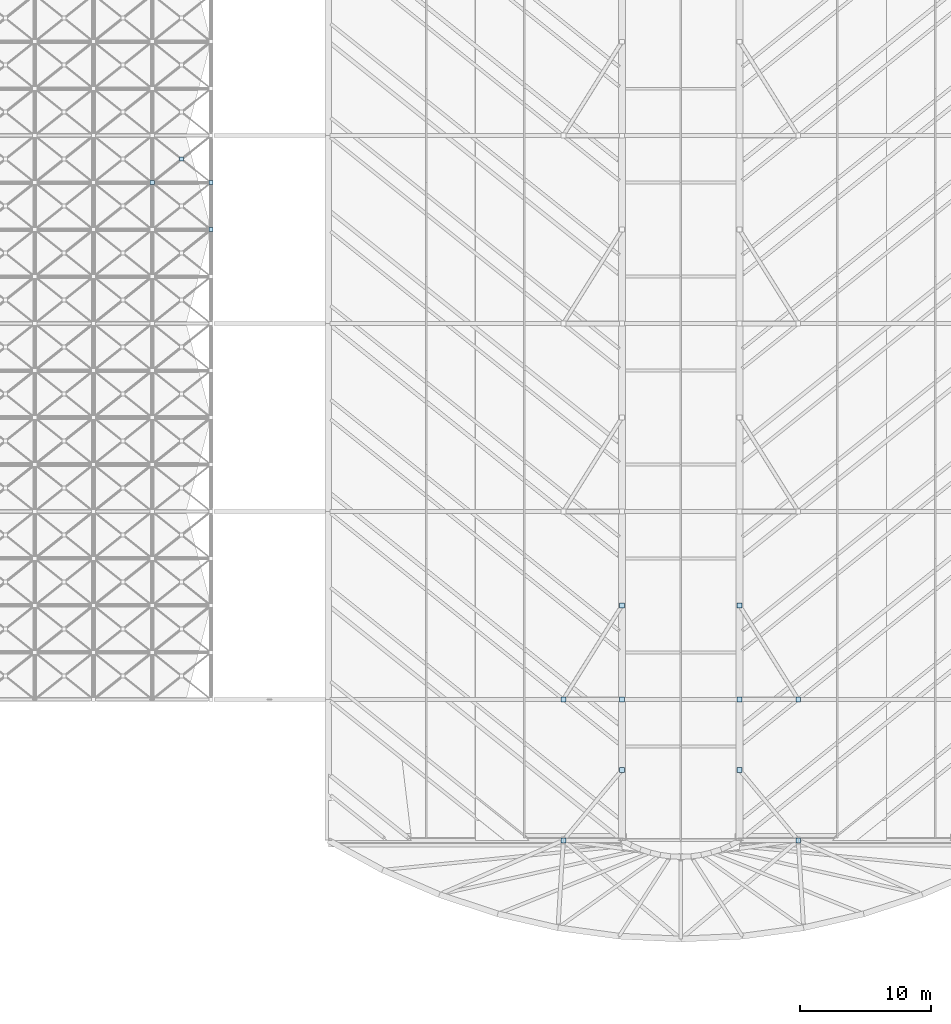
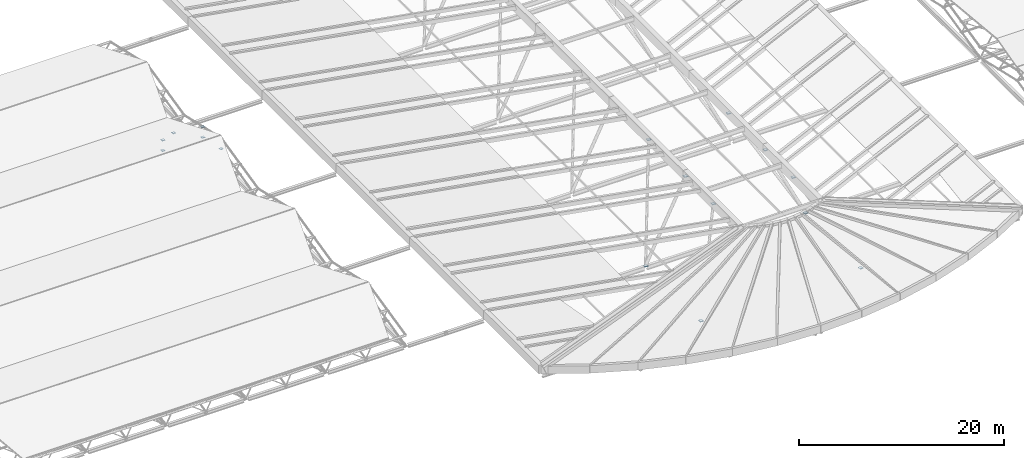
# One storey, part 79 of 110: 16 plates.
"""IFC4 building model written with IfcOpenShell, lengths in metres."""

from ifc_helpers import new_model, si_unit, direction, frame, origin, origin_2d, place, context, subcontext, project, spatial, rectangle, extrude, material, layer, layer_set, type_object, element, save


model = new_model("IFC4")

# Units and contexts
model_context = context("Model", 3, precision=1e-05, world=origin(), true_north=direction((0.0, 1.0)))
body_context = subcontext(model_context, "Body", "Model", "MODEL_VIEW")
ifc_project = project(units=[si_unit("LENGTHUNIT", "METRE"), si_unit("AREAUNIT", "SQUARE_METRE"), si_unit("VOLUMEUNIT", "CUBIC_METRE"), si_unit("PLANEANGLEUNIT", "RADIAN"), si_unit("MASSUNIT", "GRAM", prefix="KILO")], contexts=[model_context])

# Site, building, storey
site_placement = place(None, origin())
site = spatial("IfcSite", under=ifc_project, at=site_placement, CompositionType="ELEMENT")
building_placement = place(site_placement, origin())
building = spatial("IfcBuilding", under=site, at=building_placement, Name="Tamarisk Ironworks Central Station", CompositionType="ELEMENT")
storey_placement = place(building_placement, frame((0.0, 0.0, 17.39990234375)))
storey = spatial("IfcBuildingStorey", under=building, at=storey_placement, Name="L03", CompositionType="ELEMENT", Elevation=17.39990234375)

# Plates
ifc_material_1 = material(Name="Structural steel S355J2H", Category="steel")
ifc_layer_1 = layer(ifc_material_1, 0.02587890625)
ifc_layer_set_1 = layer_set([ifc_layer_1], Name="Structural steel S355J2H")
plate_type_1 = type_object("IfcPlateType", Name="PL-ND26", PredefinedType="SHEET", material=ifc_layer_set_1)
for number, where, z_axis, x_axis, name in (
    (1, (40.5, 61.199951171875, 0.342041015625), (0.0, 0.0, 1.0), (1.0, 0.0, 0.0), "Space-frame collector node plate 0364"),
    (2, (40.5, 61.199951171875, -0.907958984375), (0.0, 0.0, 1.0), (1.0, 0.0, 0.0), "Space-frame collector node plate 0366"),
    (3, (45.0, 57.60009765625, -0.082763671875), (0.0, 0.0, 1.0), (1.0, 0.0, 0.0), "Space-frame collector node plate 0375"),
    (4, (45.0, 61.199951171875, 0.342041015625), (0.0, 0.0, 1.0), (1.0, 0.0, 0.0), "Space-frame collector node plate 0376"),
):
    element("IfcPlate", number, at=place(storey_placement, frame(where, z_axis=z_axis, x_axis=x_axis)), inside=storey, type_object=plate_type_1, Name=name, PredefinedType="SHEET", context=body_context, shape_type="SweptSolid", body=[
        extrude(rectangle(XDim=0.320068359375, YDim=0.320068359375, at=origin_2d()), origin(), (0.0, 0.0, 1.0), 0.02587890625),
    ])
plate_1_placement = place(storey_placement, frame((42.75, 63.0, -0.6953125), z_axis=(0.0, 0.0, 1.0), x_axis=(1.0, 0.0, 0.0)))
element("IfcPlate", 5, at=plate_1_placement, inside=storey, type_object=plate_type_1, Name="Space-frame X-brace crossing gusset plate 0377", PredefinedType="SHEET", context=body_context, shape_type="SweptSolid", body=[
    extrude(rectangle(XDim=0.300048828125, YDim=0.300048828125, at=origin_2d()), origin(), (0.0, 0.0, 1.0), 0.02587890625),
])
plate_2_placement = place(storey_placement, frame((45.0, 61.199951171875, -0.907958984375), z_axis=(0.0, 0.0, 1.0), x_axis=(1.0, 0.0, 0.0)))
element("IfcPlate", 6, at=plate_2_placement, inside=storey, type_object=plate_type_1, Name="Space-frame collector node plate 0378", PredefinedType="SHEET", context=body_context, shape_type="SweptSolid", body=[
    extrude(rectangle(XDim=0.320068359375, YDim=0.320068359375, at=origin_2d()), origin(), (0.0, 0.0, 1.0), 0.02587890625),
])
ifc_material_2 = material(Name="Structural steel S355J2", Category="steel")
ifc_layer_2 = layer(ifc_material_2, 0.0380859375)
ifc_layer_set_2 = layer_set([ifc_layer_2], Name="Structural steel S355J2")
plate_type_2 = type_object("IfcPlateType", Name="PL-ND38", PredefinedType="SHEET", material=ifc_layer_set_2)
plate_3_placement = place(storey_placement, frame((76.5, 16.199951171875, 7.43115234375), z_axis=(0.0, 0.0, 1.0), x_axis=(1.0, 0.0, 0.0)))
element("IfcPlate", 7, at=plate_3_placement, inside=storey, type_object=plate_type_2, Name="Concourse spine diagonal V-strut top gusset 009", PredefinedType="SHEET", context=body_context, shape_type="SweptSolid", body=[
    extrude(rectangle(XDim=0.360107421875, YDim=0.360107421875, at=origin_2d()), origin(), (0.0, 0.0, 1.0), 0.0380859375),
])
plate_4_placement = place(storey_placement, frame((72.0, 10.800048828125, -1.658935546875), z_axis=(0.0, 0.0, 1.0), x_axis=(1.0, 0.0, 0.0)))
element("IfcPlate", 8, at=plate_4_placement, inside=storey, type_object=plate_type_2, Name="Concourse V-strut base pin gusset 010", PredefinedType="SHEET", context=body_context, shape_type="SweptSolid", body=[
    extrude(rectangle(XDim=0.3798828125, YDim=0.3798828125, at=origin_2d()), origin(), (0.0, 0.0, 1.0), 0.0380859375),
])
plate_5_placement = place(storey_placement, frame((85.5, 16.199951171875, 7.43115234375), z_axis=(0.0, 0.0, 1.0), x_axis=(1.0, 0.0, 0.0)))
element("IfcPlate", 9, at=plate_5_placement, inside=storey, type_object=plate_type_2, Name="Concourse spine diagonal V-strut top gusset 011", PredefinedType="SHEET", context=body_context, shape_type="SweptSolid", body=[
    extrude(rectangle(XDim=0.360107421875, YDim=0.360107421875, at=origin_2d()), origin(), (0.0, 0.0, 1.0), 0.0380859375),
])
plate_6_placement = place(storey_placement, frame((90.0, 10.800048828125, -1.658935546875), z_axis=(0.0, 0.0, 1.0), x_axis=(1.0, 0.0, 0.0)))
element("IfcPlate", 10, at=plate_6_placement, inside=storey, type_object=plate_type_2, Name="Concourse V-strut base pin gusset 012", PredefinedType="SHEET", context=body_context, shape_type="SweptSolid", body=[
    extrude(rectangle(XDim=0.3798828125, YDim=0.3798828125, at=origin_2d()), origin(), (0.0, 0.0, 1.0), 0.0380859375),
])
plate_7_placement = place(storey_placement, frame((76.5, 28.800048828125, 7.43115234375), z_axis=(0.0, 0.0, 1.0), x_axis=(1.0, 0.0, 0.0)))
element("IfcPlate", 11, at=plate_7_placement, inside=storey, type_object=plate_type_2, Name="Concourse spine diagonal V-strut top gusset 013", PredefinedType="SHEET", context=body_context, shape_type="SweptSolid", body=[
    extrude(rectangle(XDim=0.360107421875, YDim=0.360107421875, at=origin_2d()), origin(), (0.0, 0.0, 1.0), 0.0380859375),
])
plate_8_placement = place(storey_placement, frame((72.0, 21.60009765625, -1.658935546875), z_axis=(0.0, 0.0, 1.0), x_axis=(1.0, 0.0, 0.0)))
element("IfcPlate", 12, at=plate_8_placement, inside=storey, type_object=plate_type_2, Name="Concourse V-strut base pin gusset 014", PredefinedType="SHEET", context=body_context, shape_type="SweptSolid", body=[
    extrude(rectangle(XDim=0.3798828125, YDim=0.3798828125, at=origin_2d()), origin(), (0.0, 0.0, 1.0), 0.0380859375),
])
for number, where, z_axis, x_axis, name in (
    (13, (76.5, 21.60009765625, 7.43115234375), (0.0, 0.0, 1.0), (1.0, 0.0, 0.0), "Concourse V-strut spine gusset 015"),
    (14, (85.5, 28.800048828125, 7.43115234375), (0.0, 0.0, 1.0), (1.0, 0.0, 0.0), "Concourse spine diagonal V-strut top gusset 016"),
):
    element("IfcPlate", number, at=place(storey_placement, frame(where, z_axis=z_axis, x_axis=x_axis)), inside=storey, type_object=plate_type_2, Name=name, PredefinedType="SHEET", context=body_context, shape_type="SweptSolid", body=[
        extrude(rectangle(XDim=0.360107421875, YDim=0.360107421875, at=origin_2d()), origin(), (0.0, 0.0, 1.0), 0.0380859375),
    ])
plate_9_placement = place(storey_placement, frame((90.0, 21.60009765625, -1.658935546875), z_axis=(0.0, 0.0, 1.0), x_axis=(1.0, 0.0, 0.0)))
element("IfcPlate", 15, at=plate_9_placement, inside=storey, type_object=plate_type_2, Name="Concourse V-strut base pin gusset 017", PredefinedType="SHEET", context=body_context, shape_type="SweptSolid", body=[
    extrude(rectangle(XDim=0.3798828125, YDim=0.3798828125, at=origin_2d()), origin(), (0.0, 0.0, 1.0), 0.0380859375),
])
plate_10_placement = place(storey_placement, frame((85.5, 21.60009765625, 7.43115234375), z_axis=(0.0, 0.0, 1.0), x_axis=(1.0, 0.0, 0.0)))
element("IfcPlate", 16, at=plate_10_placement, inside=storey, type_object=plate_type_2, Name="Concourse V-strut spine gusset 018", PredefinedType="SHEET", context=body_context, shape_type="SweptSolid", body=[
    extrude(rectangle(XDim=0.360107421875, YDim=0.360107421875, at=origin_2d()), origin(), (0.0, 0.0, 1.0), 0.0380859375),
])

save(model, "model.ifc")
